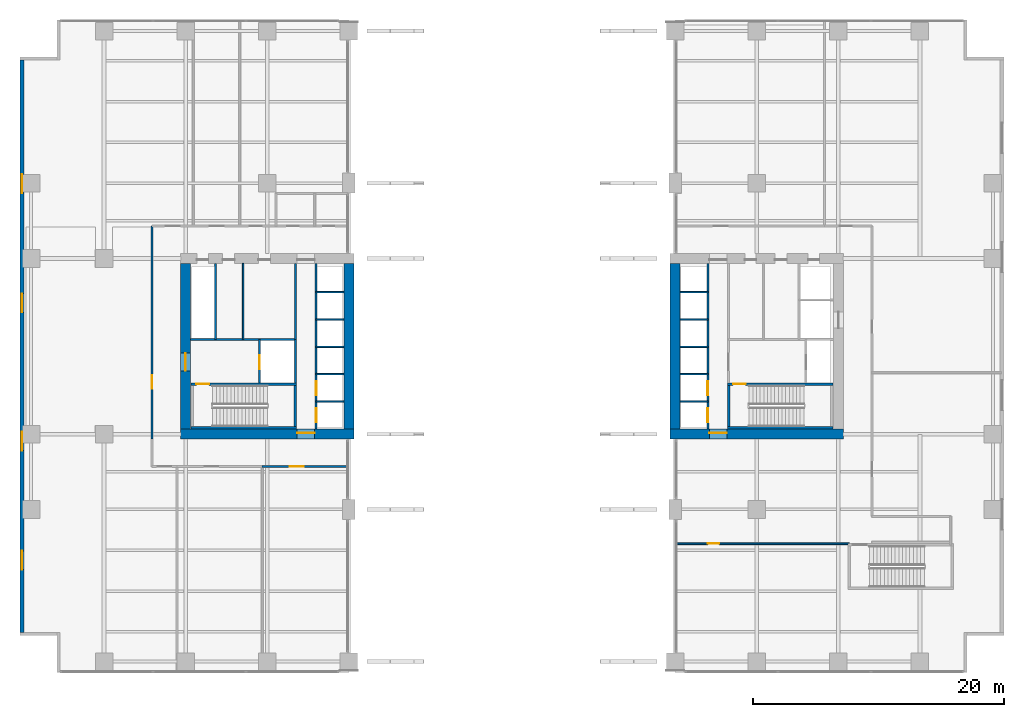
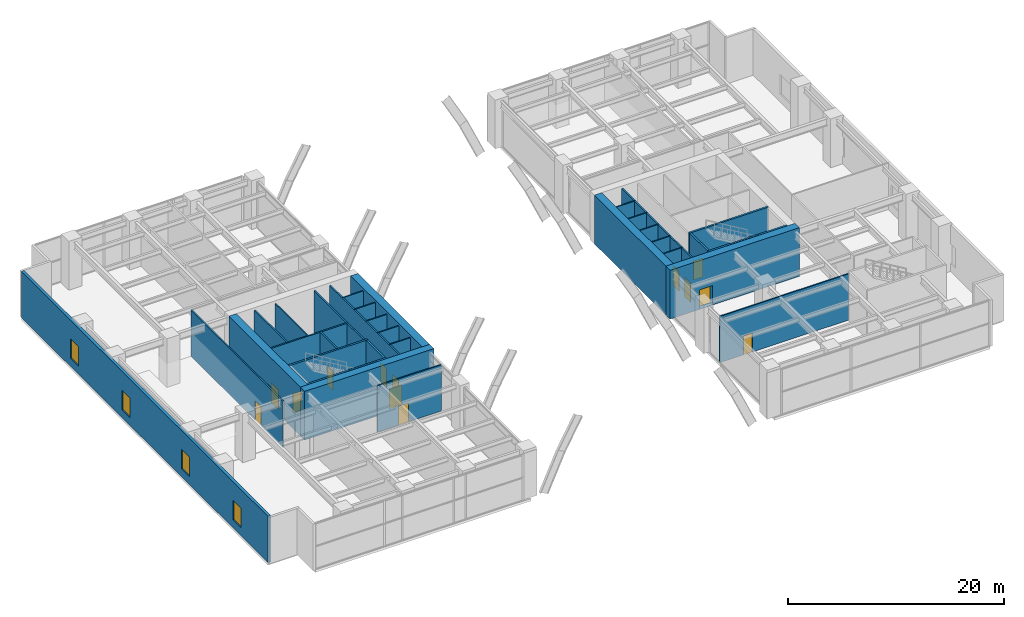
# One storey, part 10 of 17: 33 walls, 13 doors, 4 windows, 17 openings.
"""IFC4 building model written with IfcOpenShell, lengths in metres."""

import ifcopenshell
import ifcopenshell.guid

model = None  # the IFC model being written
_history = None  # IfcOwnerHistory: only IFC2X3 demands one
_inside = {}  # id of a spatial element -> (the spatial element, [elements in it])
_under = {}  # id of a project, library or spatial element -> (it, [spatial elements below it])
_declared = {}  # id of a project -> (the project, [libraries it declares])
_typed = {}  # id of a type object -> (the type object, [elements of that type])
_made_of = {}  # id of a material, layer set ... -> (it, [elements and type objects made of it])


def new_model(schema):
    """Start an empty IFC model of exactly this schema.

    Asked for "IFC4X3", IfcOpenShell would pick the latest addendum, in which some entities
    have other attributes; the version numbers below select the first issue.
    IFC2X3 requires an IfcOwnerHistory on every rooted entity: one is made here for all.
    """
    global model, _history
    if schema == "IFC4X3":
        model = ifcopenshell.file(schema_version=(4, 3, 0, 0))
    else:
        model = ifcopenshell.file(schema=schema)
    _inside.clear()
    _under.clear()
    _declared.clear()
    _typed.clear()
    _made_of.clear()
    _history = None
    if model.schema == "IFC2X3":
        org = make("IfcOrganization", Name="unknown")
        user = make(
            "IfcPersonAndOrganization",
            ThePerson=make("IfcPerson", FamilyName="unknown"),
            TheOrganization=org,
        )
        app = make(
            "IfcApplication",
            ApplicationDeveloper=org,
            Version="unknown",
            ApplicationFullName="unknown",
            ApplicationIdentifier="unknown",
        )
        _history = make(
            "IfcOwnerHistory",
            OwningUser=user,
            OwningApplication=app,
            ChangeAction="ADDED",
            CreationDate=0,
        )
    return model


def make(cls, **values):
    """One entity of the class cls with the attributes given. An attribute that is None is left unset."""
    return model.create_entity(
        cls, **{name: value for name, value in values.items() if value is not None}
    )


def rooted(cls, **values):
    """An entity with a GlobalId (a new one), such as an element, a storey or a relation."""
    return make(cls, GlobalId=ifcopenshell.guid.new(), OwnerHistory=_history, **values)


def si_unit(unit_type, name, prefix=None):
    """IfcSIUnit, for example si_unit("LENGTHUNIT", "METRE", prefix="MILLI")."""
    return make("IfcSIUnit", UnitType=unit_type, Prefix=prefix, Name=name)


def assignment(units):
    """IfcUnitAssignment: the units of a project."""
    return None if units is None else make("IfcUnitAssignment", Units=units)


def point(xyz):
    """IfcCartesianPoint."""
    return None if xyz is None else make("IfcCartesianPoint", Coordinates=xyz)


def direction(xyz):
    """IfcDirection."""
    return None if xyz is None else make("IfcDirection", DirectionRatios=xyz)


def frame(location, z_axis=None, x_axis=None):
    """IfcAxis2Placement3D, a coordinate frame: its origin and axes. An axis left out is left unset."""
    return make(
        "IfcAxis2Placement3D",
        Location=point(location),
        Axis=direction(z_axis),
        RefDirection=direction(x_axis),
    )


def frame_2d(location, x_axis=None):
    """IfcAxis2Placement2D, a coordinate frame in the plane: its origin and x axis."""
    return make(
        "IfcAxis2Placement2D", Location=point(location), RefDirection=direction(x_axis)
    )


def origin():
    """The frame at (0, 0, 0) with its axes left unset."""
    return frame((0.0, 0.0, 0.0))


def place(relative_to, where):
    """IfcLocalPlacement: puts the frame where relative to a parent placement (None: the world)."""
    return make(
        "IfcLocalPlacement", PlacementRelTo=relative_to, RelativePlacement=where
    )


def context(
    kind, dimensions, precision=None, world=None, true_north=None, identifier=None
):
    """IfcGeometricRepresentationContext, for example the 3D "Model" context."""
    return make(
        "IfcGeometricRepresentationContext",
        ContextIdentifier=identifier,
        ContextType=kind,
        CoordinateSpaceDimension=dimensions,
        Precision=precision,
        WorldCoordinateSystem=world,
        TrueNorth=true_north,
    )


def subcontext(parent, identifier, kind, view, scale=None):
    """IfcGeometricRepresentationSubContext, for example "Body" below "Model"."""
    return make(
        "IfcGeometricRepresentationSubContext",
        ContextIdentifier=identifier,
        ContextType=kind,
        ParentContext=parent,
        TargetScale=scale,
        TargetView=view,
    )


def project(units=None, contexts=None):
    """IfcProject with its units and contexts."""
    return rooted(
        "IfcProject",
        Name="project",
        RepresentationContexts=contexts,
        UnitsInContext=assignment(units),
    )


def spatial(cls, under=None, at=None, **own):
    """A site, building, storey or space (cls), placed at a placement, below another one or the project."""
    s = rooted(cls, ObjectPlacement=at, **own)
    if under is not None:
        _under.setdefault(under.id(), (under, []))[1].append(s)
    return s


def profile(cls, at=None, kind="AREA", **sizes):
    """A parametric profile (cls). Its sizes go by their IFC names, for example OverallWidth=200.0."""
    return make(cls, ProfileType=kind, Position=at, **sizes)


def rectangle(**sizes):
    """IfcRectangleProfileDef."""
    return profile("IfcRectangleProfileDef", **sizes)


def extrude(swept, where, along, depth):
    """IfcExtrudedAreaSolid: the profile swept, set in the frame where, extruded along a direction by depth."""
    return make(
        "IfcExtrudedAreaSolid",
        SweptArea=swept,
        Position=where,
        ExtrudedDirection=direction(along),
        Depth=depth,
    )


def shape(context_of_items, identifier, shape_type, items):
    """IfcShapeRepresentation: the items that make up one representation, for example the "Body"."""
    return make(
        "IfcShapeRepresentation",
        ContextOfItems=context_of_items,
        RepresentationIdentifier=identifier,
        RepresentationType=shape_type,
        Items=items,
    )


def material(Name=None, Category=None):
    """IfcMaterial."""
    return make("IfcMaterial", Name=Name, Category=Category)


def layer(
    of_material, thickness, ventilated=None, Name=None, Category=None, Priority=None
):
    """IfcMaterialLayer: one layer of a wall or slab, of a material (None: an air gap)."""
    return make(
        "IfcMaterialLayer",
        Material=of_material,
        LayerThickness=thickness,
        IsVentilated=ventilated,
        Name=Name,
        Category=Category,
        Priority=Priority,
    )


def layer_set(layers, Name=None):
    """IfcMaterialLayerSet."""
    return make("IfcMaterialLayerSet", MaterialLayers=layers, LayerSetName=Name)


def made_of(thing, what):
    """Note that an element or type object is made of a material, layer set ...; save() writes the relation."""
    if what is not None:
        _made_of.setdefault(what.id(), (what, []))[1].append(thing)
    return thing


def type_object(cls, material=None, **own):
    """A type object (cls), such as IfcWallType, which elements share."""
    return made_of(rooted(cls, **own), material)


def element(
    cls,
    number,
    at=None,
    inside=None,
    cuts=None,
    type_object=None,
    material=None,
    context=None,
    identifier="Body",
    shape_type=None,
    held_by="IfcProductDefinitionShape",
    body=None,
    shapes=None,
    **own,
):
    """One element of the class cls, such as IfcWall. Its Tag is "e" and its number.

    at: its placement. inside: the storey or other place that contains it. cuts: it is an
    opening in that element (IfcRelVoidsElement). A single representation is given by context,
    identifier, shape_type and body (its items); several are given by shapes. held_by: the class
    of the entity that holds the representations. save() writes the other relations.
    """
    e = rooted(cls, Tag="e%d" % number, ObjectPlacement=at, **own)
    if body is not None:
        shapes = [shape(context, identifier, shape_type, body)]
    if shapes is not None:
        e.Representation = make(held_by, Representations=shapes)
    if inside is not None:
        _inside.setdefault(inside.id(), (inside, []))[1].append(e)
    if cuts is not None:
        rooted(
            "IfcRelVoidsElement", RelatingBuildingElement=cuts, RelatedOpeningElement=e
        )
    if type_object is not None:
        _typed.setdefault(type_object.id(), (type_object, []))[1].append(e)
    return made_of(e, material)


def fill(opening, filler):
    """IfcRelFillsElement: the door or window that sits in an opening."""
    return rooted(
        "IfcRelFillsElement",
        RelatingOpeningElement=opening,
        RelatedBuildingElement=filler,
    )


def aggregate(whole, parts):
    """IfcRelAggregates: a whole, such as a stair, and the parts it consists of."""
    return rooted("IfcRelAggregates", RelatingObject=whole, RelatedObjects=parts)


def save(model, path):
    """Write the relations noted so far, then the file.

    IfcRelAggregates (storeys below a building ...), IfcRelContainedInSpatialStructure (elements
    in a storey), IfcRelDefinesByType, IfcRelAssociatesMaterial and IfcRelDeclares: one each for
    every whole, place, type object, material and project.
    """
    for whole, parts in _under.values():
        aggregate(whole, parts)
    for where, things in _inside.values():
        rooted(
            "IfcRelContainedInSpatialStructure",
            RelatedElements=things,
            RelatingStructure=where,
        )
    for kind, things in _typed.values():
        rooted("IfcRelDefinesByType", RelatedObjects=things, RelatingType=kind)
    for what, things in _made_of.values():
        rooted("IfcRelAssociatesMaterial", RelatedObjects=things, RelatingMaterial=what)
    for by, libraries in _declared.values():
        rooted("IfcRelDeclares", RelatingContext=by, RelatedDefinitions=libraries)
    model.write(path)


model = new_model("IFC4")

# Units and contexts
model_context = context("Model", 3, precision=1e-05, world=origin(), true_north=direction((0.0, 1.0)))
body_context = subcontext(model_context, "Body", "Model", "MODEL_VIEW")
ifc_project = project(units=[si_unit("LENGTHUNIT", "METRE"), si_unit("AREAUNIT", "SQUARE_METRE"), si_unit("VOLUMEUNIT", "CUBIC_METRE"), si_unit("PLANEANGLEUNIT", "RADIAN"), si_unit("MASSUNIT", "GRAM", prefix="KILO")], contexts=[model_context])

# Site, building, storey
site_placement = place(None, origin())
site = spatial("IfcSite", under=ifc_project, at=site_placement, CompositionType="ELEMENT")
building_placement = place(site_placement, origin())
building = spatial("IfcBuilding", under=site, at=building_placement, Name="Putna Gate Headquarters", CompositionType="ELEMENT")
storey_placement = place(building_placement, frame((0.0, 0.0, 6.0)))
storey = spatial("IfcBuildingStorey", under=building, at=storey_placement, Name="L01", CompositionType="ELEMENT", Elevation=6.0)

# Wall, opening, door
ifc_material_1 = material(Name="Concrete C60/75", Category="concrete")
ifc_layer_1 = layer(ifc_material_1, 0.800048828125)
ifc_layer_set_1 = layer_set([ifc_layer_1], Name="Concrete C60/75")
wall_type_1 = type_object("IfcWallType", Name="WALL-CORE-800", PredefinedType="SHEAR", material=ifc_layer_set_1)
wall_1_placement = place(storey_placement, frame((12.60009765625, 19.0, 0.0), z_axis=(0.0, 0.0, 1.0), x_axis=(1.0, 0.0, 0.0)))
wall_1 = element("IfcWall", 1, at=wall_1_placement, inside=storey, type_object=wall_type_1, Name="L01 WC Split Core Shear Wall S", PredefinedType="SHEAR", context=body_context, shape_type="SweptSolid", body=[
    extrude(rectangle(XDim=13.7998046875, YDim=0.800048828125, at=frame_2d((6.89990234375, 0.0))), origin(), (0.0, 0.0, 1.0), 5.5),
])
opening_1_placement = place(wall_1_placement, frame((9.280029296875, 0.0, 0.0)))
opening_1 = element("IfcOpeningElement", 2, at=opening_1_placement, cuts=wall_1, Name="Opening FDD-140", PredefinedType="OPENING", context=body_context, shape_type="SweptSolid", body=[
    extrude(rectangle(XDim=1.39990234375, YDim=2.199951171875, at=frame_2d((0.699951171875, 1.10009765625))), frame((0.0, 0.409912109375, 0.0), z_axis=(0.0, -1.0, 0.0), x_axis=(1.0, 0.0, 0.0)), (0.0, 0.0, 1.0), 0.820068359375),
])
ifc_material_2 = material(Name="Double steel fire door", Category="steel")
door_type_1 = type_object("IfcDoorType", Name="DOOR-FIRE-DBL-1400", OperationType="DOUBLE_DOOR_SINGLE_SWING", PredefinedType="DOOR", material=ifc_material_2)
door_1_placement = place(opening_1_placement, origin())
door_1 = element("IfcDoor", 3, at=door_1_placement, inside=storey, type_object=door_type_1, Name="L01 West Lift Lobby South Door", OperationType="DOUBLE_DOOR_SINGLE_SWING", OverallHeight=2.199951171875, OverallWidth=1.39990234375, PredefinedType="DOOR", context=body_context, shape_type="SweptSolid", body=[
    extrude(rectangle(XDim=1.39990234375, YDim=2.199951171875, at=frame_2d((0.699951171875, 1.10009765625))), frame((0.0, 0.125, 0.0), z_axis=(0.0, -1.0, 0.0), x_axis=(1.0, 0.0, 0.0)), (0.0, 0.0, 1.0), 0.050048828125),
])
fill(opening_1, door_1)

wall_2_placement = place(storey_placement, frame((13.0, 19.39990234375, 0.0), z_axis=(0.0, 0.0, 1.0), x_axis=(0.0, 1.0, 0.0)))
wall_2 = element("IfcWall", 4, at=wall_2_placement, inside=storey, type_object=wall_type_1, Name="L01 WC Split Core Shear Wall W", PredefinedType="SHEAR", context=body_context, shape_type="SweptSolid", body=[
    extrude(rectangle(XDim=13.2001953125, YDim=0.800048828125, at=frame_2d((6.60009765625, 0.0))), origin(), (0.0, 0.0, 1.0), 5.5),
])
opening_2_placement = place(wall_2_placement, frame((4.64990234375, 0.0, 0.0)))
opening_2 = element("IfcOpeningElement", 5, at=opening_2_placement, cuts=wall_2, Name="Opening FDD-140", PredefinedType="OPENING", context=body_context, shape_type="SweptSolid", body=[
    extrude(rectangle(XDim=1.39990234375, YDim=2.199951171875, at=frame_2d((0.699951171875, 1.10009765625))), frame((0.0, 0.409912109375, 0.0), z_axis=(0.0, -1.0, 0.0), x_axis=(1.0, 0.0, 0.0)), (0.0, 0.0, 1.0), 0.820068359375),
])
door_2_placement = place(opening_2_placement, origin())
door_2 = element("IfcDoor", 6, at=door_2_placement, inside=storey, type_object=door_type_1, Name="L01 West Firefighting Lobby Door", OperationType="DOUBLE_DOOR_SINGLE_SWING", OverallHeight=2.199951171875, OverallWidth=1.39990234375, PredefinedType="DOOR", context=body_context, shape_type="SweptSolid", body=[
    extrude(rectangle(XDim=1.39990234375, YDim=2.199951171875, at=frame_2d((0.699951171875, 1.10009765625))), frame((0.0, 0.02490234375, 0.0), z_axis=(0.0, -1.0, 0.0), x_axis=(1.0, 0.0, 0.0)), (0.0, 0.0, 1.0), 0.050048828125),
])
fill(opening_2, door_2)

# Wall
wall_3_placement = place(storey_placement, frame((26.0, 19.39990234375, 0.0), z_axis=(0.0, 0.0, 1.0), x_axis=(0.0, 1.0, 0.0)))
element("IfcWall", 7, at=wall_3_placement, inside=storey, type_object=wall_type_1, Name="L01 WC Split Core Shear Wall E", PredefinedType="SHEAR", context=body_context, shape_type="SweptSolid", body=[
    extrude(rectangle(XDim=13.2001953125, YDim=0.800048828125, at=frame_2d((6.60009765625, 0.0))), origin(), (0.0, 0.0, 1.0), 5.5),
])

# Wall, opening, door
wall_4_placement = place(storey_placement, frame((51.60009765625, 19.0, 0.0), z_axis=(0.0, 0.0, 1.0), x_axis=(1.0, 0.0, 0.0)))
wall_4 = element("IfcWall", 8, at=wall_4_placement, inside=storey, type_object=wall_type_1, Name="L01 EC Split Core Shear Wall S", PredefinedType="SHEAR", context=body_context, shape_type="SweptSolid", body=[
    extrude(rectangle(XDim=13.7998046875, YDim=0.800048828125, at=frame_2d((6.89990234375, 0.0))), origin(), (0.0, 0.0, 1.0), 5.5),
])
opening_3_placement = place(wall_4_placement, frame((3.1201171875, 0.0, 0.0)))
opening_3 = element("IfcOpeningElement", 9, at=opening_3_placement, cuts=wall_4, Name="Opening FDD-140", PredefinedType="OPENING", context=body_context, shape_type="SweptSolid", body=[
    extrude(rectangle(XDim=1.39990234375, YDim=2.199951171875, at=frame_2d((0.699951171875, 1.10009765625))), frame((0.0, 0.409912109375, 0.0), z_axis=(0.0, -1.0, 0.0), x_axis=(1.0, 0.0, 0.0)), (0.0, 0.0, 1.0), 0.820068359375),
])
door_3_placement = place(opening_3_placement, origin())
door_3 = element("IfcDoor", 10, at=door_3_placement, inside=storey, type_object=door_type_1, Name="L01 East Lift Lobby South Door", OperationType="DOUBLE_DOOR_SINGLE_SWING", OverallHeight=2.199951171875, OverallWidth=1.39990234375, PredefinedType="DOOR", context=body_context, shape_type="SweptSolid", body=[
    extrude(rectangle(XDim=1.39990234375, YDim=2.199951171875, at=frame_2d((0.699951171875, 1.10009765625))), frame((0.0, 0.125, 0.0), z_axis=(0.0, -1.0, 0.0), x_axis=(1.0, 0.0, 0.0)), (0.0, 0.0, 1.0), 0.050048828125),
])
fill(opening_3, door_3)

# Wall
wall_5_placement = place(storey_placement, frame((52.0, 19.39990234375, 0.0), z_axis=(0.0, 0.0, 1.0), x_axis=(0.0, 1.0, 0.0)))
element("IfcWall", 11, at=wall_5_placement, inside=storey, type_object=wall_type_1, Name="L01 EC Split Core Shear Wall W", PredefinedType="SHEAR", context=body_context, shape_type="SweptSolid", body=[
    extrude(rectangle(XDim=13.2001953125, YDim=0.800048828125, at=frame_2d((6.60009765625, 0.0))), origin(), (0.0, 0.0, 1.0), 5.5),
])

# Wall, openings, windows
ifc_material_3 = material(Name="Precast concrete C40/50", Category="concrete")
ifc_layer_2 = layer(ifc_material_3, 0.300048828125)
ifc_layer_set_2 = layer_set([ifc_layer_2], Name="Precast concrete C40/50")
wall_type_2 = type_object("IfcWallType", Name="WALL-EXT-POD-300", PredefinedType="STANDARD", material=ifc_layer_set_2)
wall_6_placement = place(storey_placement, frame((-0.050048828125, 3.199951171875, 0.0), z_axis=(0.0, 0.0, 1.0), x_axis=(0.0, 1.0, 0.0)))
wall_6 = element("IfcWall", 12, at=wall_6_placement, inside=storey, type_object=wall_type_2, Name="L01 W Podium Precast Facade Wall", PredefinedType="STANDARD", context=body_context, shape_type="SweptSolid", body=[
    extrude(rectangle(XDim=45.60009765625, YDim=0.300048828125, at=frame_2d((22.800048828125, 0.0))), origin(), (0.0, 0.0, 1.0), 5.219970703125),
])
opening_4_placement = place(wall_6_placement, frame((5.0, 0.0, 0.89990234375)))
opening_4 = element("IfcOpeningElement", 13, at=opening_4_placement, cuts=wall_6, Name="Opening WN-2", PredefinedType="OPENING", context=body_context, shape_type="SweptSolid", body=[
    extrude(rectangle(XDim=1.5, YDim=2.199951171875, at=frame_2d((0.75, 1.10009765625))), frame((0.0, 0.159912109375, 0.0), z_axis=(0.0, -1.0, 0.0), x_axis=(1.0, 0.0, 0.0)), (0.0, 0.0, 1.0), 0.320068359375),
])
opening_5_placement = place(wall_6_placement, frame((14.5, 0.0, 0.89990234375)))
opening_5 = element("IfcOpeningElement", 14, at=opening_5_placement, cuts=wall_6, Name="Opening WN-2", PredefinedType="OPENING", context=body_context, shape_type="SweptSolid", body=[
    extrude(rectangle(XDim=1.5, YDim=2.199951171875, at=frame_2d((0.75, 1.10009765625))), frame((0.0, 0.159912109375, 0.0), z_axis=(0.0, -1.0, 0.0), x_axis=(1.0, 0.0, 0.0)), (0.0, 0.0, 1.0), 0.320068359375),
])
opening_6_placement = place(wall_6_placement, frame((25.5, 0.0, 0.89990234375)))
opening_6 = element("IfcOpeningElement", 15, at=opening_6_placement, cuts=wall_6, Name="Opening WN-2", PredefinedType="OPENING", context=body_context, shape_type="SweptSolid", body=[
    extrude(rectangle(XDim=1.5, YDim=2.199951171875, at=frame_2d((0.75, 1.10009765625))), frame((0.0, 0.159912109375, 0.0), z_axis=(0.0, -1.0, 0.0), x_axis=(1.0, 0.0, 0.0)), (0.0, 0.0, 1.0), 0.320068359375),
])
opening_7_placement = place(wall_6_placement, frame((35.0, 0.0, 0.89990234375)))
opening_7 = element("IfcOpeningElement", 16, at=opening_7_placement, cuts=wall_6, Name="Opening WN-2", PredefinedType="OPENING", context=body_context, shape_type="SweptSolid", body=[
    extrude(rectangle(XDim=1.5, YDim=2.199951171875, at=frame_2d((0.75, 1.10009765625))), frame((0.0, 0.159912109375, 0.0), z_axis=(0.0, -1.0, 0.0), x_axis=(1.0, 0.0, 0.0)), (0.0, 0.0, 1.0), 0.320068359375),
])
ifc_material_4 = material(Name="Triple low-E insulated glazing in bronze aluminium frame", Category="aluminium")
window_type = type_object("IfcWindowType", Name="WIN-EXT-1500x2200", PartitioningType="SINGLE_PANEL", PredefinedType="WINDOW", material=ifc_material_4)
window_1_placement = place(opening_4_placement, origin())
window_1 = element("IfcWindow", 17, at=window_1_placement, inside=storey, type_object=window_type, Name="L01 W Vision Window 1", OverallHeight=2.199951171875, OverallWidth=1.5, PartitioningType="SINGLE_PANEL", PredefinedType="WINDOW", context=body_context, shape_type="SweptSolid", body=[
    extrude(rectangle(XDim=1.5, YDim=2.199951171875, at=frame_2d((0.75, 1.10009765625))), frame((0.0, 0.030029296875, 0.0), z_axis=(0.0, -1.0, 0.0), x_axis=(1.0, 0.0, 0.0)), (0.0, 0.0, 1.0), 0.06005859375),
])
fill(opening_4, window_1)
window_2_placement = place(opening_5_placement, origin())
window_2 = element("IfcWindow", 18, at=window_2_placement, inside=storey, type_object=window_type, Name="L01 W Vision Window 2", OverallHeight=2.199951171875, OverallWidth=1.5, PartitioningType="SINGLE_PANEL", PredefinedType="WINDOW", context=body_context, shape_type="SweptSolid", body=[
    extrude(rectangle(XDim=1.5, YDim=2.199951171875, at=frame_2d((0.75, 1.10009765625))), frame((0.0, 0.030029296875, 0.0), z_axis=(0.0, -1.0, 0.0), x_axis=(1.0, 0.0, 0.0)), (0.0, 0.0, 1.0), 0.06005859375),
])
fill(opening_5, window_2)
window_3_placement = place(opening_6_placement, origin())
window_3 = element("IfcWindow", 19, at=window_3_placement, inside=storey, type_object=window_type, Name="L01 W Vision Window 3", OverallHeight=2.199951171875, OverallWidth=1.5, PartitioningType="SINGLE_PANEL", PredefinedType="WINDOW", context=body_context, shape_type="SweptSolid", body=[
    extrude(rectangle(XDim=1.5, YDim=2.199951171875, at=frame_2d((0.75, 1.10009765625))), frame((0.0, 0.030029296875, 0.0), z_axis=(0.0, -1.0, 0.0), x_axis=(1.0, 0.0, 0.0)), (0.0, 0.0, 1.0), 0.06005859375),
])
fill(opening_6, window_3)
window_4_placement = place(opening_7_placement, origin())
window_4 = element("IfcWindow", 20, at=window_4_placement, inside=storey, type_object=window_type, Name="L01 W Vision Window 4", OverallHeight=2.199951171875, OverallWidth=1.5, PartitioningType="SINGLE_PANEL", PredefinedType="WINDOW", context=body_context, shape_type="SweptSolid", body=[
    extrude(rectangle(XDim=1.5, YDim=2.199951171875, at=frame_2d((0.75, 1.10009765625))), frame((0.0, 0.030029296875, 0.0), z_axis=(0.0, -1.0, 0.0), x_axis=(1.0, 0.0, 0.0)), (0.0, 0.0, 1.0), 0.06005859375),
])
fill(opening_7, window_4)

# Walls
ifc_material_5 = material(Name="Fire-rated shaftwall gypsum board on metal stud")
ifc_layer_3 = layer(ifc_material_5, 0.1201171875)
ifc_layer_set_3 = layer_set([ifc_layer_3], Name="Fire-rated shaftwall gypsum board on metal stud")
wall_type_3 = type_object("IfcWallType", Name="WALL-PART-120-EI120", PredefinedType="PARTITIONING", material=ifc_layer_set_3)
for number, where, z_axis, x_axis, name in (
    (21, (23.39990234375, 21.610107421875, 0.0), (0.0, 0.0, 1.0), (1.0, 0.0, 0.0), "L01 Interior Wall CWINT-L01-WC-LF01-DIV"),
    (22, (23.39990234375, 23.780029296875, 0.0), (0.0, 0.0, 1.0), (1.0, 0.0, 0.0), "L01 Interior Wall CWINT-L01-WC-LF02-DIV"),
    (23, (23.39990234375, 25.949951171875, 0.0), (0.0, 0.0, 1.0), (1.0, 0.0, 0.0), "L01 Interior Wall CWINT-L01-WC-LF05-DIV"),
    (24, (23.39990234375, 28.1201171875, 0.0), (0.0, 0.0, 1.0), (1.0, 0.0, 0.0), "L01 Interior Wall CWINT-L01-WC-LF06-DIV"),
    (25, (23.39990234375, 30.31005859375, 0.0), (0.0, 0.0, 1.0), (1.0, 0.0, 0.0), "L01 Interior Wall CWINT-L01-WC-LF09-DIV"),
    (26, (52.39990234375, 21.610107421875, 0.0), (0.0, 0.0, 1.0), (1.0, 0.0, 0.0), "L01 Interior Wall CWINT-L01-EC-LF03-DIV"),
    (27, (52.39990234375, 23.780029296875, 0.0), (0.0, 0.0, 1.0), (1.0, 0.0, 0.0), "L01 Interior Wall CWINT-L01-EC-LF04-DIV"),
    (28, (52.39990234375, 25.949951171875, 0.0), (0.0, 0.0, 1.0), (1.0, 0.0, 0.0), "L01 Interior Wall CWINT-L01-EC-LF07-DIV"),
    (29, (52.39990234375, 28.1201171875, 0.0), (0.0, 0.0, 1.0), (1.0, 0.0, 0.0), "L01 Interior Wall CWINT-L01-EC-LF08-DIV"),
    (30, (52.39990234375, 30.31005859375, 0.0), (0.0, 0.0, 1.0), (1.0, 0.0, 0.0), "L01 Interior Wall CWINT-L01-EC-LF11-DIV"),
):
    element("IfcWall", number, at=place(storey_placement, frame(where, z_axis=z_axis, x_axis=x_axis)), inside=storey, type_object=wall_type_3, Name=name, PredefinedType="PARTITIONING", context=body_context, shape_type="SweptSolid", body=[
        extrude(rectangle(XDim=2.2001953125, YDim=0.1201171875, at=frame_2d((1.10009765625, 0.0))), origin(), (0.0, 0.0, 1.0), 5.219970703125),
    ])
ifc_material_6 = material(Name="Fire-rated gypsum board on metal stud")
ifc_layer_4 = layer(ifc_material_6, 0.1201171875)
ifc_layer_set_4 = layer_set([ifc_layer_4], Name="Fire-rated gypsum board on metal stud")
wall_type_4 = type_object("IfcWallType", Name="WALL-PART-120-RATED", PredefinedType="PARTITIONING", material=ifc_layer_set_4)
wall_7_placement = place(storey_placement, frame((17.570068359375, 26.56005859375, 0.0), z_axis=(0.0, 0.0, 1.0), x_axis=(0.0, 1.0, 0.0)))
element("IfcWall", 31, at=wall_7_placement, inside=storey, type_object=wall_type_4, Name="L01 Interior Wall CWINT-L01-WC-K1-DIV", PredefinedType="PARTITIONING", context=body_context, shape_type="SweptSolid", body=[
    extrude(rectangle(XDim=6.0400390625, YDim=0.1201171875, at=frame_2d((3.02001953125, 0.0))), origin(), (0.0, 0.0, 1.0), 5.219970703125),
])

# Wall, opening, door
ifc_layer_5 = layer(ifc_material_6, 0.139892578125)
ifc_layer_set_5 = layer_set([ifc_layer_5], Name="Fire-rated gypsum board on metal stud")
wall_type_5 = type_object("IfcWallType", Name="WALL-PART-140", PredefinedType="PARTITIONING", material=ifc_layer_set_5)
wall_8_placement = place(storey_placement, frame((19.10009765625, 16.419921875, 0.0), z_axis=(0.0, 0.0, 1.0), x_axis=(1.0, 0.0, 0.0)))
wall_8 = element("IfcWall", 32, at=wall_8_placement, inside=storey, type_object=wall_type_5, Name="L01 Interior Wall PART-L01-C3", PredefinedType="PARTITIONING", context=body_context, shape_type="SweptSolid", body=[
    extrude(rectangle(XDim=6.81982421875, YDim=0.139892578125, at=frame_2d((3.409912109375, 0.0))), origin(), (0.0, 0.0, 1.0), 5.219970703125),
])
opening_8_placement = place(wall_8_placement, frame((2.199951171875, 0.0, 0.0)))
opening_8 = element("IfcOpeningElement", 33, at=opening_8_placement, cuts=wall_8, Name="Opening IDS-110", PredefinedType="OPENING", context=body_context, shape_type="SweptSolid", body=[
    extrude(rectangle(XDim=1.10009765625, YDim=2.14990234375, at=frame_2d((0.550048828125, 1.074951171875))), frame((0.0, 0.079833984375, 0.0), z_axis=(0.0, -1.0, 0.0), x_axis=(1.0, 0.0, 0.0)), (0.0, 0.0, 1.0), 0.159912109375),
])
ifc_material_7 = material(Name="Fire-rated meeting room door")
door_type_2 = type_object("IfcDoorType", Name="DOOR-INT-1100", OperationType="NOTDEFINED", PredefinedType="DOOR", material=ifc_material_7)
door_4_placement = place(opening_8_placement, origin())
door_4 = element("IfcDoor", 34, at=door_4_placement, inside=storey, type_object=door_type_2, Name="L01 Boardroom C Door", OperationType="SINGLE_SWING_LEFT", OverallHeight=2.14990234375, OverallWidth=1.10009765625, PredefinedType="DOOR", context=body_context, shape_type="SweptSolid", body=[
    extrude(rectangle(XDim=1.10009765625, YDim=2.14990234375, at=frame_2d((0.550048828125, 1.074951171875))), frame((0.0, 0.02490234375, 0.0), z_axis=(0.0, -1.0, 0.0), x_axis=(1.0, 0.0, 0.0)), (0.0, 0.0, 1.0), 0.050048828125),
])
fill(opening_8, door_4)

wall_9_placement = place(storey_placement, frame((10.320068359375, 18.60009765625, 0.0), z_axis=(0.0, 0.0, 1.0), x_axis=(0.0, 1.0, 0.0)))
wall_9 = element("IfcWall", 35, at=wall_9_placement, inside=storey, type_object=wall_type_5, Name="L01 Interior Wall PART-L01-LW", PredefinedType="PARTITIONING", context=body_context, shape_type="SweptSolid", body=[
    extrude(rectangle(XDim=16.97998046875, YDim=0.139892578125, at=frame_2d((8.489990234375, 0.0))), origin(), (0.0, 0.0, 1.0), 5.219970703125),
])
opening_9_placement = place(wall_9_placement, frame((4.0, 0.0, 0.0)))
opening_9 = element("IfcOpeningElement", 36, at=opening_9_placement, cuts=wall_9, Name="Opening IDS-110", PredefinedType="OPENING", context=body_context, shape_type="SweptSolid", body=[
    extrude(rectangle(XDim=1.10009765625, YDim=2.14990234375, at=frame_2d((0.550048828125, 1.074951171875))), frame((0.0, 0.079833984375, 0.0), z_axis=(0.0, -1.0, 0.0), x_axis=(1.0, 0.0, 0.0)), (0.0, 0.0, 1.0), 0.159912109375),
])
door_5_placement = place(opening_9_placement, origin())
door_5 = element("IfcDoor", 37, at=door_5_placement, inside=storey, type_object=door_type_2, Name="L01 Delegate Lounge Door", OperationType="SINGLE_SWING_LEFT", OverallHeight=2.14990234375, OverallWidth=1.10009765625, PredefinedType="DOOR", context=body_context, shape_type="SweptSolid", body=[
    extrude(rectangle(XDim=1.10009765625, YDim=2.14990234375, at=frame_2d((0.550048828125, 1.074951171875))), frame((0.0, 0.02490234375, 0.0), z_axis=(0.0, -1.0, 0.0), x_axis=(1.0, 0.0, 0.0)), (0.0, 0.0, 1.0), 0.050048828125),
])
fill(opening_9, door_5)

wall_10_placement = place(storey_placement, frame((52.080078125, 10.280029296875, 0.0), z_axis=(0.0, 0.0, 1.0), x_axis=(1.0, 0.0, 0.0)))
wall_10 = element("IfcWall", 38, at=wall_10_placement, inside=storey, type_object=wall_type_5, Name="L01 Interior Wall PART-L01-EF", PredefinedType="PARTITIONING", context=body_context, shape_type="SweptSolid", body=[
    extrude(rectangle(XDim=13.780029296875, YDim=0.139892578125, at=frame_2d((6.89013671875, 0.0))), origin(), (0.0, 0.0, 1.0), 5.219970703125),
])
opening_10_placement = place(wall_10_placement, frame((2.5, 0.0, 0.0)))
opening_10 = element("IfcOpeningElement", 39, at=opening_10_placement, cuts=wall_10, Name="Opening IDS-95", PredefinedType="OPENING", context=body_context, shape_type="SweptSolid", body=[
    extrude(rectangle(XDim=0.949951171875, YDim=2.14990234375, at=frame_2d((0.47509765625, 1.074951171875))), frame((0.0, 0.079833984375, 0.0), z_axis=(0.0, -1.0, 0.0), x_axis=(1.0, 0.0, 0.0)), (0.0, 0.0, 1.0), 0.159912109375),
])
ifc_material_8 = material(Name="Fire-rated service timber door", Category="wood")
door_type_3 = type_object("IfcDoorType", Name="DOOR-INT-950", OperationType="NOTDEFINED", PredefinedType="DOOR", material=ifc_material_8)
door_6_placement = place(opening_10_placement, origin())
door_6 = element("IfcDoor", 40, at=door_6_placement, inside=storey, type_object=door_type_3, Name="L01 Operations Office Door", OperationType="SINGLE_SWING_LEFT", OverallHeight=2.14990234375, OverallWidth=0.949951171875, PredefinedType="DOOR", context=body_context, shape_type="SweptSolid", body=[
    extrude(rectangle(XDim=0.949951171875, YDim=2.14990234375, at=frame_2d((0.47509765625, 1.074951171875))), frame((0.0, 0.02490234375, 0.0), z_axis=(0.0, -1.0, 0.0), x_axis=(1.0, 0.0, 0.0)), (0.0, 0.0, 1.0), 0.050048828125),
])
fill(opening_10, door_6)

# Wall
ifc_material_9 = material(Name="Concrete C40/50", Category="concrete")
ifc_layer_6 = layer(ifc_material_9, 0.159912109375)
ifc_layer_set_6 = layer_set([ifc_layer_6], Name="Concrete C40/50")
wall_type_6 = type_object("IfcWallType", Name="WALL-SHAFT-160", PredefinedType="STANDARD", material=ifc_layer_set_6)
wall_11_placement = place(storey_placement, frame((21.739990234375, 23.090087890625, 0.0), z_axis=(0.0, 0.0, 1.0), x_axis=(0.0, 1.0, 0.0)))
element("IfcWall", 41, at=wall_11_placement, inside=storey, type_object=wall_type_6, Name="L01 Interior Wall CWINT-L01-WC-FFL-E", PredefinedType="STANDARD", context=body_context, shape_type="SweptSolid", body=[
    extrude(rectangle(XDim=3.469970703125, YDim=0.159912109375, at=frame_2d((1.73486328125, 0.0))), origin(), (0.0, 0.0, 1.0), 5.219970703125),
])

# Wall, opening, door
wall_12_placement = place(storey_placement, frame((18.8798828125, 23.090087890625, 0.0), z_axis=(0.0, 0.0, 1.0), x_axis=(0.0, 1.0, 0.0)))
wall_12 = element("IfcWall", 42, at=wall_12_placement, inside=storey, type_object=wall_type_6, Name="L01 Interior Wall CWINT-L01-WC-LF13-W", PredefinedType="STANDARD", context=body_context, shape_type="SweptSolid", body=[
    extrude(rectangle(XDim=3.469970703125, YDim=0.159912109375, at=frame_2d((1.73486328125, 0.0))), origin(), (0.0, 0.0, 1.0), 5.219970703125),
])
opening_11_placement = place(wall_12_placement, frame((1.10009765625, 0.0, 0.0)))
opening_11 = element("IfcOpeningElement", 43, at=opening_11_placement, cuts=wall_12, Name="Opening LD-1", PredefinedType="OPENING", context=body_context, shape_type="SweptSolid", body=[
    extrude(rectangle(XDim=1.10009765625, YDim=2.199951171875, at=frame_2d((0.550048828125, 1.10009765625))), frame((0.0, 0.08984375, 0.0), z_axis=(0.0, -1.0, 0.0), x_axis=(1.0, 0.0, 0.0)), (0.0, 0.0, 1.0), 0.179931640625),
])
ifc_material_10 = material(Name="Brushed bronze stainless lift landing door")
door_type_4 = type_object("IfcDoorType", Name="DOOR-LIFT-1100", OperationType="DOUBLE_DOOR_SLIDING", PredefinedType="DOOR", material=ifc_material_10)
door_7_placement = place(opening_11_placement, origin())
door_7 = element("IfcDoor", 44, at=door_7_placement, inside=storey, type_object=door_type_4, Name="L01 Lift Landing Door LD-13", OperationType="DOUBLE_DOOR_SLIDING", OverallHeight=2.199951171875, OverallWidth=1.10009765625, PredefinedType="DOOR", context=body_context, shape_type="SweptSolid", body=[
    extrude(rectangle(XDim=1.10009765625, YDim=2.199951171875, at=frame_2d((0.550048828125, 1.10009765625))), frame((0.0, 0.02490234375, 0.0), z_axis=(0.0, -1.0, 0.0), x_axis=(1.0, 0.0, 0.0)), (0.0, 0.0, 1.0), 0.050048828125),
])
fill(opening_11, door_7)

# Walls
wall_13_placement = place(storey_placement, frame((13.39990234375, 26.56005859375, 0.0), z_axis=(0.0, 0.0, 1.0), x_axis=(1.0, 0.0, 0.0)))
element("IfcWall", 45, at=wall_13_placement, inside=storey, type_object=wall_type_6, Name="L01 Interior Wall CWINT-L01-WC-FFL-N", PredefinedType="STANDARD", context=body_context, shape_type="SweptSolid", body=[
    extrude(rectangle(XDim=8.340087890625, YDim=0.159912109375, at=frame_2d((4.169921875, 0.0))), origin(), (0.0, 0.0, 1.0), 5.219970703125),
])
for number, where, z_axis, x_axis, name in (
    (46, (15.3798828125, 26.56005859375, 0.0), (0.0, 0.0, 1.0), (0.0, 1.0, 0.0), "L01 Interior Wall CWINT-L01-WC-RISER-E"),
    (47, (21.739990234375, 26.56005859375, 0.0), (0.0, 0.0, 1.0), (0.0, 1.0, 0.0), "L01 Interior Wall CWINT-L01-WC-LOB-W"),
):
    element("IfcWall", number, at=place(storey_placement, frame(where, z_axis=z_axis, x_axis=x_axis)), inside=storey, type_object=wall_type_6, Name=name, PredefinedType="STANDARD", context=body_context, shape_type="SweptSolid", body=[
        extrude(rectangle(XDim=6.0400390625, YDim=0.159912109375, at=frame_2d((3.02001953125, 0.0))), origin(), (0.0, 0.0, 1.0), 5.219970703125),
    ])

# Wall, openings, doors
wall_14_placement = place(storey_placement, frame((23.39990234375, 19.39990234375, 0.0), z_axis=(0.0, 0.0, 1.0), x_axis=(0.0, 1.0, 0.0)))
wall_14 = element("IfcWall", 48, at=wall_14_placement, inside=storey, type_object=wall_type_6, Name="L01 Interior Wall CWINT-L01-WC-PL-WALL", PredefinedType="STANDARD", context=body_context, shape_type="SweptSolid", body=[
    extrude(rectangle(XDim=13.2001953125, YDim=0.159912109375, at=frame_2d((6.60009765625, 0.0))), origin(), (0.0, 0.0, 1.0), 5.219970703125),
])
opening_12_placement = place(wall_14_placement, frame((0.550048828125, 0.0, 0.0)))
opening_12 = element("IfcOpeningElement", 49, at=opening_12_placement, cuts=wall_14, Name="Opening LD-1", PredefinedType="OPENING", context=body_context, shape_type="SweptSolid", body=[
    extrude(rectangle(XDim=1.10009765625, YDim=2.199951171875, at=frame_2d((0.550048828125, 1.10009765625))), frame((0.0, 0.08984375, 0.0), z_axis=(0.0, -1.0, 0.0), x_axis=(1.0, 0.0, 0.0)), (0.0, 0.0, 1.0), 0.179931640625),
])
opening_13_placement = place(wall_14_placement, frame((2.699951171875, 0.0, 0.0)))
opening_13 = element("IfcOpeningElement", 50, at=opening_13_placement, cuts=wall_14, Name="Opening LD-1", PredefinedType="OPENING", context=body_context, shape_type="SweptSolid", body=[
    extrude(rectangle(XDim=1.10009765625, YDim=2.199951171875, at=frame_2d((0.550048828125, 1.10009765625))), frame((0.0, 0.08984375, 0.0), z_axis=(0.0, -1.0, 0.0), x_axis=(1.0, 0.0, 0.0)), (0.0, 0.0, 1.0), 0.179931640625),
])
door_8_placement = place(opening_12_placement, origin())
door_8 = element("IfcDoor", 51, at=door_8_placement, inside=storey, type_object=door_type_4, Name="L01 Lift Landing Door LD-01", OperationType="DOUBLE_DOOR_SLIDING", OverallHeight=2.199951171875, OverallWidth=1.10009765625, PredefinedType="DOOR", context=body_context, shape_type="SweptSolid", body=[
    extrude(rectangle(XDim=1.10009765625, YDim=2.199951171875, at=frame_2d((0.550048828125, 1.10009765625))), frame((0.0, 0.02490234375, 0.0), z_axis=(0.0, -1.0, 0.0), x_axis=(1.0, 0.0, 0.0)), (0.0, 0.0, 1.0), 0.050048828125),
])
fill(opening_12, door_8)
door_9_placement = place(opening_13_placement, origin())
door_9 = element("IfcDoor", 52, at=door_9_placement, inside=storey, type_object=door_type_4, Name="L01 Lift Landing Door LD-02", OperationType="DOUBLE_DOOR_SLIDING", OverallHeight=2.199951171875, OverallWidth=1.10009765625, PredefinedType="DOOR", context=body_context, shape_type="SweptSolid", body=[
    extrude(rectangle(XDim=1.10009765625, YDim=2.199951171875, at=frame_2d((0.550048828125, 1.10009765625))), frame((0.0, 0.02490234375, 0.0), z_axis=(0.0, -1.0, 0.0), x_axis=(1.0, 0.0, 0.0)), (0.0, 0.0, 1.0), 0.050048828125),
])
fill(opening_13, door_9)

wall_15_placement = place(storey_placement, frame((54.60009765625, 19.39990234375, 0.0), z_axis=(0.0, 0.0, 1.0), x_axis=(0.0, 1.0, 0.0)))
wall_15 = element("IfcWall", 53, at=wall_15_placement, inside=storey, type_object=wall_type_6, Name="L01 Interior Wall CWINT-L01-EC-PL-WALL", PredefinedType="STANDARD", context=body_context, shape_type="SweptSolid", body=[
    extrude(rectangle(XDim=13.2001953125, YDim=0.159912109375, at=frame_2d((6.60009765625, 0.0))), origin(), (0.0, 0.0, 1.0), 5.219970703125),
])
opening_14_placement = place(wall_15_placement, frame((0.550048828125, 0.0, 0.0)))
opening_14 = element("IfcOpeningElement", 54, at=opening_14_placement, cuts=wall_15, Name="Opening LD-1", PredefinedType="OPENING", context=body_context, shape_type="SweptSolid", body=[
    extrude(rectangle(XDim=1.10009765625, YDim=2.199951171875, at=frame_2d((0.550048828125, 1.10009765625))), frame((0.0, 0.08984375, 0.0), z_axis=(0.0, -1.0, 0.0), x_axis=(1.0, 0.0, 0.0)), (0.0, 0.0, 1.0), 0.179931640625),
])
opening_15_placement = place(wall_15_placement, frame((2.699951171875, 0.0, 0.0)))
opening_15 = element("IfcOpeningElement", 55, at=opening_15_placement, cuts=wall_15, Name="Opening LD-1", PredefinedType="OPENING", context=body_context, shape_type="SweptSolid", body=[
    extrude(rectangle(XDim=1.10009765625, YDim=2.199951171875, at=frame_2d((0.550048828125, 1.10009765625))), frame((0.0, 0.08984375, 0.0), z_axis=(0.0, -1.0, 0.0), x_axis=(1.0, 0.0, 0.0)), (0.0, 0.0, 1.0), 0.179931640625),
])
door_10_placement = place(opening_14_placement, origin())
door_10 = element("IfcDoor", 56, at=door_10_placement, inside=storey, type_object=door_type_4, Name="L01 Lift Landing Door LD-03", OperationType="DOUBLE_DOOR_SLIDING", OverallHeight=2.199951171875, OverallWidth=1.10009765625, PredefinedType="DOOR", context=body_context, shape_type="SweptSolid", body=[
    extrude(rectangle(XDim=1.10009765625, YDim=2.199951171875, at=frame_2d((0.550048828125, 1.10009765625))), frame((0.0, 0.02490234375, 0.0), z_axis=(0.0, -1.0, 0.0), x_axis=(1.0, 0.0, 0.0)), (0.0, 0.0, 1.0), 0.050048828125),
])
fill(opening_14, door_10)
door_11_placement = place(opening_15_placement, origin())
door_11 = element("IfcDoor", 57, at=door_11_placement, inside=storey, type_object=door_type_4, Name="L01 Lift Landing Door LD-04", OperationType="DOUBLE_DOOR_SLIDING", OverallHeight=2.199951171875, OverallWidth=1.10009765625, PredefinedType="DOOR", context=body_context, shape_type="SweptSolid", body=[
    extrude(rectangle(XDim=1.10009765625, YDim=2.199951171875, at=frame_2d((0.550048828125, 1.10009765625))), frame((0.0, 0.02490234375, 0.0), z_axis=(0.0, -1.0, 0.0), x_axis=(1.0, 0.0, 0.0)), (0.0, 0.0, 1.0), 0.050048828125),
])
fill(opening_15, door_11)

# Wall
ifc_layer_7 = layer(ifc_material_9, 0.199951171875)
ifc_layer_set_7 = layer_set([ifc_layer_7], Name="Concrete C40/50")
wall_type_7 = type_object("IfcWallType", Name="WALL-SHAFT-RC200", PredefinedType="SHEAR", material=ifc_layer_set_7)
wall_16_placement = place(storey_placement, frame((13.409912109375, 19.510009765625, 0.0), z_axis=(0.0, 0.0, 1.0), x_axis=(1.0, 0.0, 0.0)))
element("IfcWall", 58, at=wall_16_placement, inside=storey, type_object=wall_type_7, Name="L01 Stair ST1 Structural Shaft Wall S", PredefinedType="SHEAR", context=body_context, shape_type="SweptSolid", body=[
    extrude(rectangle(XDim=8.43017578125, YDim=0.199951171875, at=frame_2d((4.215087890625, 0.0))), origin(), (0.0, 0.0, 1.0), 5.5),
])

# Wall, opening, door
wall_17_placement = place(storey_placement, frame((13.409912109375, 22.989990234375, 0.0), z_axis=(0.0, 0.0, 1.0), x_axis=(1.0, 0.0, 0.0)))
wall_17 = element("IfcWall", 59, at=wall_17_placement, inside=storey, type_object=wall_type_7, Name="L01 Stair ST1 Structural Shaft Wall N", PredefinedType="SHEAR", context=body_context, shape_type="SweptSolid", body=[
    extrude(rectangle(XDim=8.43017578125, YDim=0.199951171875, at=frame_2d((4.215087890625, 0.0))), origin(), (0.0, 0.0, 1.0), 5.5),
])
opening_16_placement = place(wall_17_placement, frame((0.449951171875, 0.0, 0.0)))
opening_16 = element("IfcOpeningElement", 60, at=opening_16_placement, cuts=wall_17, Name="Opening FD-100", PredefinedType="OPENING", context=body_context, shape_type="SweptSolid", body=[
    extrude(rectangle(XDim=1.0, YDim=2.14990234375, at=frame_2d((0.5, 1.074951171875))), frame((0.0, 0.10986328125, 0.0), z_axis=(0.0, -1.0, 0.0), x_axis=(1.0, 0.0, 0.0)), (0.0, 0.0, 1.0), 0.219970703125),
])
ifc_material_11 = material(Name="Powder-coated steel fire door", Category="steel")
door_type_5 = type_object("IfcDoorType", Name="DOOR-FIRE-1000", OperationType="NOTDEFINED", PredefinedType="DOOR", material=ifc_material_11)
door_12_placement = place(opening_16_placement, origin())
door_12 = element("IfcDoor", 61, at=door_12_placement, inside=storey, type_object=door_type_5, Name="L01 Stair ST1 Fire Door", OperationType="SINGLE_SWING_LEFT", OverallHeight=2.14990234375, OverallWidth=1.0, PredefinedType="DOOR", context=body_context, shape_type="SweptSolid", body=[
    extrude(rectangle(XDim=1.0, YDim=2.14990234375, at=frame_2d((0.5, 1.074951171875))), frame((0.0, 0.02490234375, 0.0), z_axis=(0.0, -1.0, 0.0), x_axis=(1.0, 0.0, 0.0)), (0.0, 0.0, 1.0), 0.050048828125),
])
fill(opening_16, door_12)

# Walls
wall_18_placement = place(storey_placement, frame((21.739990234375, 19.610107421875, 0.0), z_axis=(0.0, 0.0, 1.0), x_axis=(0.0, 1.0, 0.0)))
element("IfcWall", 62, at=wall_18_placement, inside=storey, type_object=wall_type_7, Name="L01 Stair ST1 Structural Shaft Wall E", PredefinedType="SHEAR", context=body_context, shape_type="SweptSolid", body=[
    extrude(rectangle(XDim=3.27978515625, YDim=0.199951171875, at=frame_2d((1.639892578125, 0.0))), origin(), (0.0, 0.0, 1.0), 5.5),
])
wall_19_placement = place(storey_placement, frame((56.159912109375, 19.510009765625, 0.0), z_axis=(0.0, 0.0, 1.0), x_axis=(1.0, 0.0, 0.0)))
element("IfcWall", 63, at=wall_19_placement, inside=storey, type_object=wall_type_7, Name="L01 Stair ST2 Structural Shaft Wall S", PredefinedType="SHEAR", context=body_context, shape_type="SweptSolid", body=[
    extrude(rectangle(XDim=8.43017578125, YDim=0.199951171875, at=frame_2d((4.215087890625, 0.0))), origin(), (0.0, 0.0, 1.0), 5.5),
])

# Wall, opening, door
wall_20_placement = place(storey_placement, frame((56.159912109375, 22.989990234375, 0.0), z_axis=(0.0, 0.0, 1.0), x_axis=(1.0, 0.0, 0.0)))
wall_20 = element("IfcWall", 64, at=wall_20_placement, inside=storey, type_object=wall_type_7, Name="L01 Stair ST2 Structural Shaft Wall N", PredefinedType="SHEAR", context=body_context, shape_type="SweptSolid", body=[
    extrude(rectangle(XDim=8.43017578125, YDim=0.199951171875, at=frame_2d((4.215087890625, 0.0))), origin(), (0.0, 0.0, 1.0), 5.5),
])
opening_17_placement = place(wall_20_placement, frame((0.449951171875, 0.0, 0.0)))
opening_17 = element("IfcOpeningElement", 65, at=opening_17_placement, cuts=wall_20, Name="Opening FD-100", PredefinedType="OPENING", context=body_context, shape_type="SweptSolid", body=[
    extrude(rectangle(XDim=1.0, YDim=2.14990234375, at=frame_2d((0.5, 1.074951171875))), frame((0.0, 0.10986328125, 0.0), z_axis=(0.0, -1.0, 0.0), x_axis=(1.0, 0.0, 0.0)), (0.0, 0.0, 1.0), 0.219970703125),
])
door_13_placement = place(opening_17_placement, origin())
door_13 = element("IfcDoor", 66, at=door_13_placement, inside=storey, type_object=door_type_5, Name="L01 Stair ST2 Fire Door", OperationType="SINGLE_SWING_RIGHT", OverallHeight=2.14990234375, OverallWidth=1.0, PredefinedType="DOOR", context=body_context, shape_type="SweptSolid", body=[
    extrude(rectangle(XDim=1.0, YDim=2.14990234375, at=frame_2d((0.5, 1.074951171875))), frame((0.0, 0.02490234375, 0.0), z_axis=(0.0, -1.0, 0.0), x_axis=(1.0, 0.0, 0.0)), (0.0, 0.0, 1.0), 0.050048828125),
])
fill(opening_17, door_13)

# Wall
wall_21_placement = place(storey_placement, frame((56.260009765625, 19.610107421875, 0.0), z_axis=(0.0, 0.0, 1.0), x_axis=(0.0, 1.0, 0.0)))
element("IfcWall", 67, at=wall_21_placement, inside=storey, type_object=wall_type_7, Name="L01 Stair ST2 Structural Shaft Wall W", PredefinedType="SHEAR", context=body_context, shape_type="SweptSolid", body=[
    extrude(rectangle(XDim=3.27978515625, YDim=0.199951171875, at=frame_2d((1.639892578125, 0.0))), origin(), (0.0, 0.0, 1.0), 5.5),
])

save(model, "model.ifc")
